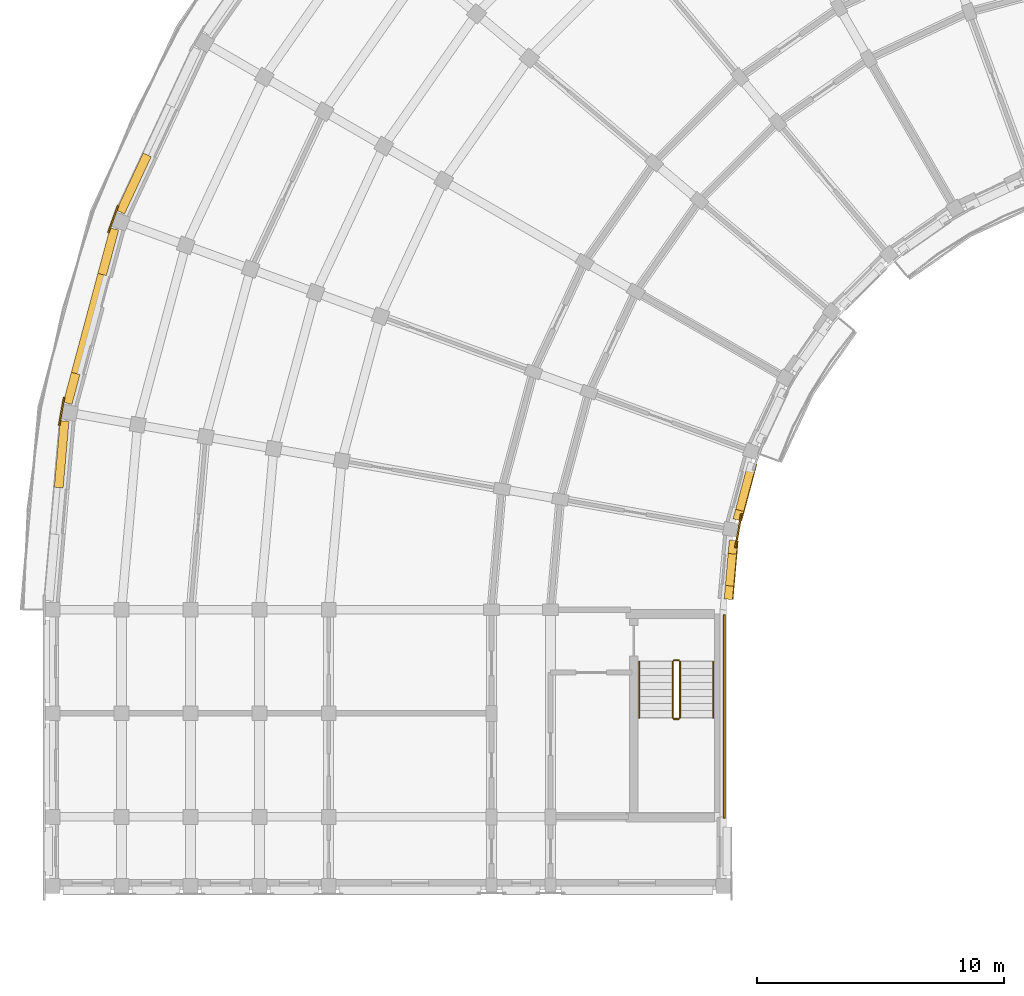
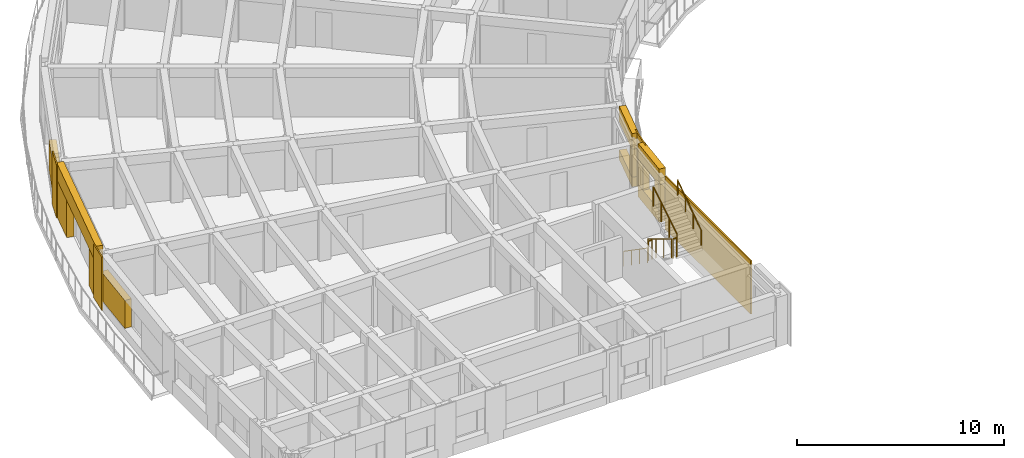
# One storey, part 41 of 53: 16 coverings, 6 railings.
"""IFC4 building model written with IfcOpenShell, lengths in metres."""

from ifc_helpers import new_model, si_unit, direction, frame, origin, origin_2d, place, context, subcontext, project, spatial, polyline, circle, outline, extrude, material, layer, layer_set, type_object, element, save


model = new_model("IFC4")

# Units and contexts
model_context = context("Model", 3, precision=1e-05, world=origin(), true_north=direction((0.0, 1.0)))
body_context = subcontext(model_context, "Body", "Model", "MODEL_VIEW")
ifc_project = project(units=[si_unit("LENGTHUNIT", "METRE"), si_unit("AREAUNIT", "SQUARE_METRE"), si_unit("VOLUMEUNIT", "CUBIC_METRE"), si_unit("PLANEANGLEUNIT", "RADIAN"), si_unit("MASSUNIT", "GRAM", prefix="KILO")], contexts=[model_context])

# Site, building, storey
site_placement = place(None, origin())
site = spatial("IfcSite", under=ifc_project, at=site_placement, CompositionType="ELEMENT")
building_placement = place(site_placement, origin())
building = spatial("IfcBuilding", under=site, at=building_placement, Name="Kiranvali Square Residences", CompositionType="ELEMENT")
storey_placement = place(building_placement, frame((0.0, 0.0, 30.75)))
storey = spatial("IfcBuildingStorey", under=building, at=storey_placement, Name="L09", CompositionType="ELEMENT", Elevation=30.75)

# Coverings
ifc_material_1 = material(Name="Honed Porbandar limestone ashlar facade cladding", Category="masonry")
ifc_layer_1 = layer(ifc_material_1, 0.3798828125)
ifc_layer_set_1 = layer_set([ifc_layer_1], Name="Honed Porbandar limestone ashlar facade cladding")
covering_type_1 = type_object("IfcCoveringType", Name="COV-CLAD-JAMB", PredefinedType="CLADDING", material=ifc_layer_set_1)
covering_1_placement = place(storey_placement, frame((0.0, 0.0, 0.3720703125)))
element("IfcCovering", 1, at=covering_1_placement, inside=storey, type_object=covering_type_1, Name="L09 deep limestone window jamb reveal A-L09-CRV-06.R", PredefinedType="CLADDING", context=body_context, shape_type="SweptSolid", body=[
    extrude(outline(polyline([(5.87744140625, 106.32177734375), (4.7958984375, 104.002197265625), (5.12158203125, 103.850341796875), (6.203125, 106.169677734375), (5.87744140625, 106.32177734375)])), origin(), (0.0, 0.0, 1.0), 1.800048828125),
])
covering_2_placement = place(storey_placement, origin())
element("IfcCovering", 2, at=covering_2_placement, inside=storey, type_object=covering_type_1, Name="L09 deep limestone window jamb reveal A-L09-CRV-07.L", PredefinedType="CLADDING", context=body_context, shape_type="SweptSolid", body=[
    extrude(outline(polyline([(4.535888671875, 103.2880859375), (4.041015625, 101.441650390625), (4.388427734375, 101.3486328125), (4.883056640625, 103.195068359375), (4.535888671875, 103.2880859375)])), origin(), (0.0, 0.0, 1.0), 2.179931640625),
])
covering_3_placement = place(storey_placement, origin())
element("IfcCovering", 3, at=covering_3_placement, inside=storey, type_object=covering_type_1, Name="L09 deep limestone window jamb reveal A-L09-CRV-07.R", PredefinedType="CLADDING", context=body_context, shape_type="SweptSolid", body=[
    extrude(outline(polyline([(2.9658203125, 97.42919921875), (2.6416015625, 96.218994140625), (2.989013671875, 96.1259765625), (3.313232421875, 97.336181640625), (2.9658203125, 97.42919921875)])), origin(), (0.0, 0.0, 1.0), 2.179931640625),
])
covering_4_placement = place(storey_placement, frame((0.0, 0.0, 0.52197265625)))
element("IfcCovering", 4, at=covering_4_placement, inside=storey, type_object=covering_type_1, Name="L09 deep limestone window jamb reveal A-L09-CRV-08.L", PredefinedType="CLADDING", context=body_context, shape_type="SweptSolid", body=[
    extrude(outline(polyline([(2.509765625, 95.470458984375), (2.273681640625, 92.771728515625), (2.6318359375, 92.740234375), (2.867919921875, 95.439208984375), (2.509765625, 95.470458984375)])), origin(), (0.0, 0.0, 1.0), 1.650146484375),
])
covering_5_placement = place(storey_placement, frame((0.0, 0.0, 0.572021484375)))
element("IfcCovering", 5, at=covering_5_placement, inside=storey, type_object=covering_type_1, Name="L09 deep limestone window jamb reveal A-L09-GDN-07.R", PredefinedType="CLADDING", context=body_context, shape_type="SweptSolid", body=[
    extrude(outline(polyline([(29.903076171875, 91.87451171875), (29.800048828125, 91.489501953125), (30.1279296875, 91.401611328125), (30.23095703125, 91.78662109375), (29.903076171875, 91.87451171875)])), origin(), (0.0, 0.0, 1.0), 1.64990234375),
])
covering_6_placement = place(storey_placement, frame((0.0, 0.0, 0.721923828125)))
element("IfcCovering", 6, at=covering_6_placement, inside=storey, type_object=covering_type_1, Name="L09 deep limestone window jamb reveal A-L09-GDN-08.L", PredefinedType="CLADDING", context=body_context, shape_type="SweptSolid", body=[
    extrude(outline(polyline([(29.647705078125, 90.626220703125), (29.599853515625, 90.079833984375), (29.938232421875, 90.05029296875), (29.986083984375, 90.5966796875), (29.647705078125, 90.626220703125)])), origin(), (0.0, 0.0, 1.0), 1.5),
])
covering_7_placement = place(storey_placement, frame((0.0, 0.0, 0.721923828125)))
element("IfcCovering", 7, at=covering_7_placement, inside=storey, type_object=covering_type_1, Name="L09 deep limestone window jamb reveal A-L09-GDN-08.R", PredefinedType="CLADDING", context=body_context, shape_type="SweptSolid", body=[
    extrude(outline(polyline([(29.486572265625, 88.78466796875), (29.43896484375, 88.23828125), (29.777099609375, 88.208740234375), (29.824951171875, 88.755126953125), (29.486572265625, 88.78466796875)])), origin(), (0.0, 0.0, 1.0), 1.5),
])
ifc_layer_2 = layer(ifc_material_1, 0.06494140625)
ifc_layer_set_2 = layer_set([ifc_layer_2], Name="Honed Porbandar limestone ashlar facade cladding")
covering_type_2 = type_object("IfcCoveringType", Name="COV-CLAD-PIER", PredefinedType="CLADDING", material=ifc_layer_set_2)
covering_8_placement = place(storey_placement, frame((0.0, 0.0, 0.0048828125)))
element("IfcCovering", 8, at=covering_8_placement, inside=storey, type_object=covering_type_2, Name="L09 Classical limestone corner pilaster CLAD-PR-A-L09-A07", PredefinedType="CLADDING", context=body_context, shape_type="SweptSolid", body=[
    extrude(outline(polyline([(4.82666015625, 104.203857421875), (4.429931640625, 103.11376953125), (4.493408203125, 103.090576171875), (4.89013671875, 104.1806640625), (4.82666015625, 104.203857421875)])), origin(), (0.0, 0.0, 1.0), 3.14013671875),
])
covering_9_placement = place(storey_placement, frame((0.0, 0.0, 0.0048828125)))
element("IfcCovering", 9, at=covering_9_placement, inside=storey, type_object=covering_type_2, Name="L09 Classical limestone corner pilaster CLAD-PR-A-L09-A08", PredefinedType="CLADDING", context=body_context, shape_type="SweptSolid", body=[
    extrude(outline(polyline([(2.63720703125, 96.4228515625), (2.435791015625, 95.280517578125), (2.502197265625, 95.268798828125), (2.70361328125, 96.4111328125), (2.63720703125, 96.4228515625)])), origin(), (0.0, 0.0, 1.0), 3.14013671875),
])
covering_10_placement = place(storey_placement, frame((0.0, 0.0, 0.0048828125)))
element("IfcCovering", 10, at=covering_10_placement, inside=storey, type_object=covering_type_2, Name="Block A L09 Arm 2 stair limestone ashlar cladding", PredefinedType="CLADDING", context=body_context, shape_type="SweptSolid", body=[
    extrude(outline(polyline([(29.402099609375, 87.60009765625), (29.402099609375, 79.35009765625), (29.47998046875, 79.35009765625), (29.47998046875, 87.60009765625), (29.402099609375, 87.60009765625)])), origin(), (0.0, 0.0, 1.0), 3.14013671875),
])
ifc_layer_3 = layer(ifc_material_1, 0.050048828125)
ifc_layer_set_3 = layer_set([ifc_layer_3], Name="Honed Porbandar limestone ashlar facade cladding")
covering_type_3 = type_object("IfcCoveringType", Name="COV-CLAD-PIER-IN", PredefinedType="CLADDING", material=ifc_layer_set_3)
covering_11_placement = place(storey_placement, frame((0.0, 0.0, 0.0048828125)))
element("IfcCovering", 11, at=covering_11_placement, inside=storey, type_object=covering_type_3, Name="L09 Classical garden courtyard pilaster CLAD-PRIN-A-L09-A08", PredefinedType="CLADDING", context=body_context, shape_type="SweptSolid", body=[
    extrude(outline(polyline([(29.926513671875, 90.311279296875), (30.169677734375, 91.68994140625), (30.10302734375, 91.70166015625), (29.860107421875, 90.322998046875), (29.926513671875, 90.311279296875)])), origin(), (0.0, 0.0, 1.0), 3.14013671875),
])
ifc_layer_4 = layer(ifc_material_1, 0.360107421875)
ifc_layer_set_4 = layer_set([ifc_layer_4], Name="Honed Porbandar limestone ashlar facade cladding")
covering_type_4 = type_object("IfcCoveringType", Name="COV-CLAD-WALL", PredefinedType="CLADDING", material=ifc_layer_set_4)
covering_12_placement = place(storey_placement, frame((0.0, 0.0, 2.179931640625)))
element("IfcCovering", 12, at=covering_12_placement, inside=storey, type_object=covering_type_4, Name="L09 light limestone spandrel lintel A-L09-CRV-07", PredefinedType="CLADDING", context=body_context, shape_type="SweptSolid", body=[
    extrude(outline(polyline([(4.535888671875, 103.2880859375), (2.6416015625, 96.218994140625), (2.989013671875, 96.1259765625), (4.883056640625, 103.195068359375), (4.535888671875, 103.2880859375)])), origin(), (0.0, 0.0, 1.0), 0.965087890625),
])
covering_13_placement = place(storey_placement, frame((0.0, 0.0, 2.221923828125)))
element("IfcCovering", 13, at=covering_13_placement, inside=storey, type_object=covering_type_4, Name="L09 light limestone spandrel lintel A-L09-GDN-07", PredefinedType="CLADDING", context=body_context, shape_type="SweptSolid", body=[
    extrude(outline(polyline([(30.42041015625, 93.804931640625), (29.800048828125, 91.489501953125), (30.1279296875, 91.401611328125), (30.748291015625, 93.717041015625), (30.42041015625, 93.804931640625)])), origin(), (0.0, 0.0, 1.0), 0.923095703125),
])
covering_14_placement = place(storey_placement, frame((0.0, 0.0, 2.221923828125)))
element("IfcCovering", 14, at=covering_14_placement, inside=storey, type_object=covering_type_4, Name="L09 light limestone spandrel lintel A-L09-GDN-08", PredefinedType="CLADDING", context=body_context, shape_type="SweptSolid", body=[
    extrude(outline(polyline([(29.647705078125, 90.626220703125), (29.43896484375, 88.23828125), (29.777099609375, 88.208740234375), (29.986083984375, 90.5966796875), (29.647705078125, 90.626220703125)])), origin(), (0.0, 0.0, 1.0), 0.923095703125),
])
ifc_layer_5 = layer(ifc_material_1, 0.2900390625)
ifc_layer_set_5 = layer_set([ifc_layer_5], Name="Honed Porbandar limestone ashlar facade cladding")
covering_type_5 = type_object("IfcCoveringType", Name="COV-CLAD-WALL-IN", PredefinedType="CLADDING", material=ifc_layer_set_5)
covering_15_placement = place(storey_placement, frame((0.0, 0.0, 0.0048828125)))
element("IfcCovering", 15, at=covering_15_placement, inside=storey, type_object=covering_type_5, Name="L09 limestone window sill apron A-L09-GDN-07", PredefinedType="CLADDING", context=body_context, shape_type="SweptSolid", body=[
    extrude(outline(polyline([(30.42041015625, 93.804931640625), (29.800048828125, 91.489501953125), (30.156982421875, 91.393798828125), (30.77734375, 93.709228515625), (30.42041015625, 93.804931640625)])), origin(), (0.0, 0.0, 1.0), 0.567138671875),
])
covering_16_placement = place(storey_placement, frame((0.0, 0.0, 0.0048828125)))
element("IfcCovering", 16, at=covering_16_placement, inside=storey, type_object=covering_type_5, Name="L09 limestone window sill apron A-L09-GDN-08", PredefinedType="CLADDING", context=body_context, shape_type="SweptSolid", body=[
    extrude(outline(polyline([(29.647705078125, 90.626220703125), (29.43896484375, 88.23828125), (29.806884765625, 88.2060546875), (30.015869140625, 90.593994140625), (29.647705078125, 90.626220703125)])), origin(), (0.0, 0.0, 1.0), 0.717041015625),
])

# Railings
ifc_material_2 = material(Name="Brushed stainless steel tubular handrail", Category="steel")
railing_type_1 = type_object("IfcRailingType", Name="RL-HANDRAIL-900", PredefinedType="HANDRAIL", material=ifc_material_2)
railing_1_placement = place(storey_placement, frame((26.0, 85.699951171875, 0.175048828125)))
element("IfcRailing", 17, at=railing_1_placement, inside=storey, type_object=railing_type_1, Name="L09 ST-A3 stair handrail 1", PredefinedType="HANDRAIL", context=body_context, shape_type="SweptSolid", body=[
    extrude(circle(Radius=0.02392578125, at=origin_2d()), frame((0.0, 0.0, 0.8759765625), z_axis=(0.0, -0.82278801735, 0.568348377763), x_axis=(1.0, 0.0, 0.0)), (0.0, 0.0, 1.0), 2.77099609375),
    extrude(circle(Radius=0.02099609375, at=origin_2d()), origin(), (0.0, 0.0, 1.0), 0.851806640625),
    extrude(circle(Radius=0.02099609375, at=origin_2d()), frame((0.0, -0.760009765625, 0.52490234375)), (0.0, 0.0, 1.0), 0.851806640625),
    extrude(circle(Radius=0.02099609375, at=origin_2d()), frame((0.0, -1.52001953125, 1.050048828125)), (0.0, 0.0, 1.0), 0.851806640625),
    extrude(circle(Radius=0.02099609375, at=origin_2d()), frame((0.0, -2.280029296875, 1.574951171875)), (0.0, 0.0, 1.0), 0.851806640625),
])
railing_2_placement = place(storey_placement, frame((29.0, 83.419921875, 1.75)))
element("IfcRailing", 18, at=railing_2_placement, inside=storey, type_object=railing_type_1, Name="L09 ST-A3 stair handrail 2", PredefinedType="HANDRAIL", context=body_context, shape_type="SweptSolid", body=[
    extrude(circle(Radius=0.02392578125, at=origin_2d()), frame((0.0, 0.0, 0.8759765625), z_axis=(0.0, 0.82278801735, 0.568348377763), x_axis=(-1.0, 0.0, 0.0)), (0.0, 0.0, 1.0), 2.77099609375),
    extrude(circle(Radius=0.02099609375, at=origin_2d()), origin(), (0.0, 0.0, 1.0), 0.851806640625),
    extrude(circle(Radius=0.02099609375, at=origin_2d()), frame((0.0, 0.760009765625, 0.52490234375)), (0.0, 0.0, 1.0), 0.851806640625),
    extrude(circle(Radius=0.02099609375, at=origin_2d()), frame((0.0, 1.52001953125, 1.050048828125)), (0.0, 0.0, 1.0), 0.851806640625),
    extrude(circle(Radius=0.02099609375, at=origin_2d()), frame((0.0, 2.280029296875, 1.574951171875)), (0.0, 0.0, 1.0), 0.851806640625),
])
ifc_material_3 = material(Name="Powder-coated architectural bronze balustrade", Category="steel")
railing_type_2 = type_object("IfcRailingType", Name="RL-ST-GUARD-1200", PredefinedType="GUARDRAIL", material=ifc_material_3)
railing_3_placement = place(storey_placement, frame((27.35009765625, 85.699951171875, 0.175048828125)))
element("IfcRailing", 19, at=railing_3_placement, inside=storey, type_object=railing_type_2, Name="L09 ST-A3 stair guard 1", PredefinedType="GUARDRAIL", context=body_context, shape_type="SweptSolid", body=[
    extrude(circle(Radius=0.02392578125, at=origin_2d()), frame((0.0, 0.0, 1.1259765625), z_axis=(0.0, -0.852190499154, 0.523231643875), x_axis=(1.0, 0.0, 0.0)), (0.0, 0.0, 1.0), 2.675537109375),
    extrude(circle(Radius=0.02099609375, at=origin_2d()), origin(), (0.0, 0.0, 1.0), 1.101806640625),
    extrude(circle(Radius=0.02099609375, at=origin_2d()), frame((0.0, -0.760009765625, 0.466552734375)), (0.0, 0.0, 1.0), 1.101806640625),
    extrude(circle(Radius=0.02099609375, at=origin_2d()), frame((0.0, -1.52001953125, 0.933349609375)), (0.0, 0.0, 1.0), 1.101806640625),
    extrude(circle(Radius=0.02099609375, at=origin_2d()), frame((0.0, -2.280029296875, 1.39990234375)), (0.0, 0.0, 1.0), 1.101806640625),
])
railing_4_placement = place(storey_placement, frame((27.39990234375, 83.3701171875, 1.574951171875)))
element("IfcRailing", 20, at=railing_4_placement, inside=storey, type_object=railing_type_2, Name="L09 ST-A3 stair guard 2", PredefinedType="GUARDRAIL", context=body_context, shape_type="SweptSolid", body=[
    extrude(circle(Radius=0.02392578125, at=origin_2d()), frame((0.0, 0.0, 1.1259765625), z_axis=(1.0, 0.0, 0.0), x_axis=(0.0, 1.0, 0.0)), (0.0, 0.0, 1.0), 0.2001953125),
    extrude(circle(Radius=0.02099609375, at=origin_2d()), origin(), (0.0, 0.0, 1.0), 1.101806640625),
    extrude(circle(Radius=0.02099609375, at=origin_2d()), frame((0.2001953125, 0.0, 0.0)), (0.0, 0.0, 1.0), 1.101806640625),
])
railing_5_placement = place(storey_placement, frame((27.64990234375, 83.419921875, 1.75)))
element("IfcRailing", 21, at=railing_5_placement, inside=storey, type_object=railing_type_2, Name="L09 ST-A3 stair guard 3", PredefinedType="GUARDRAIL", context=body_context, shape_type="SweptSolid", body=[
    extrude(circle(Radius=0.02392578125, at=origin_2d()), frame((0.0, 0.0, 1.1259765625), z_axis=(0.0, 0.852190499154, 0.523231643875), x_axis=(-1.0, 0.0, 0.0)), (0.0, 0.0, 1.0), 2.675537109375),
    extrude(circle(Radius=0.02099609375, at=origin_2d()), origin(), (0.0, 0.0, 1.0), 1.101806640625),
    extrude(circle(Radius=0.02099609375, at=origin_2d()), frame((0.0, 0.760009765625, 0.466552734375)), (0.0, 0.0, 1.0), 1.101806640625),
    extrude(circle(Radius=0.02099609375, at=origin_2d()), frame((0.0, 1.52001953125, 0.933349609375)), (0.0, 0.0, 1.0), 1.101806640625),
    extrude(circle(Radius=0.02099609375, at=origin_2d()), frame((0.0, 2.280029296875, 1.39990234375)), (0.0, 0.0, 1.0), 1.101806640625),
])
railing_6_placement = place(storey_placement, frame((27.39990234375, 85.75, 0.0)))
element("IfcRailing", 22, at=railing_6_placement, inside=storey, type_object=railing_type_2, Name="L09 ST-A3 stair guard 4", PredefinedType="GUARDRAIL", context=body_context, shape_type="SweptSolid", body=[
    extrude(circle(Radius=0.02392578125, at=origin_2d()), frame((0.0, 0.0, 1.1259765625), z_axis=(1.0, 0.0, 0.0), x_axis=(0.0, 1.0, 0.0)), (0.0, 0.0, 1.0), 0.2001953125),
    extrude(circle(Radius=0.02099609375, at=origin_2d()), origin(), (0.0, 0.0, 1.0), 1.101806640625),
    extrude(circle(Radius=0.02099609375, at=origin_2d()), frame((0.2001953125, 0.0, 0.0)), (0.0, 0.0, 1.0), 1.101806640625),
])

save(model, "model.ifc")
